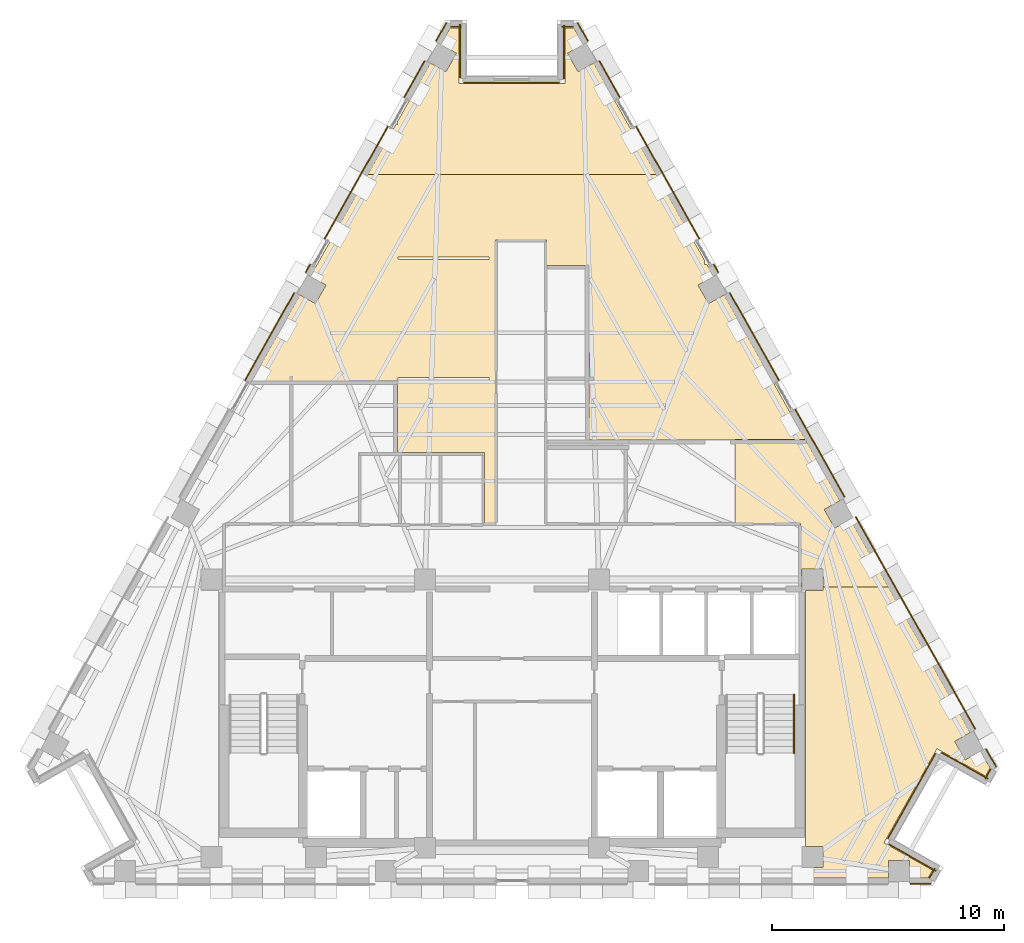
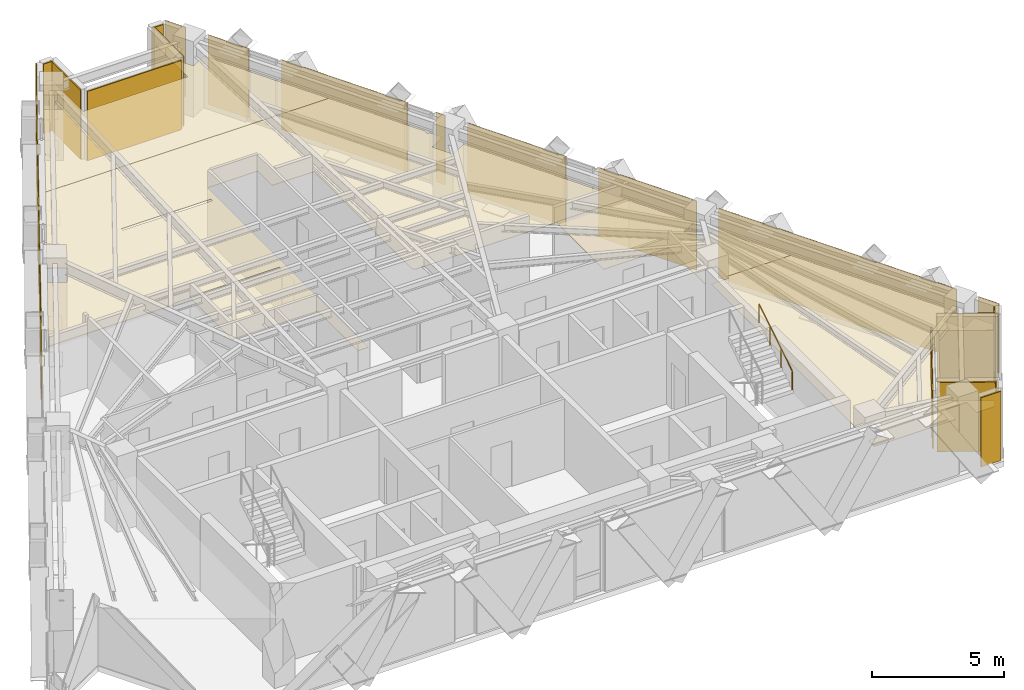
# One storey, part 12 of 12: 28 coverings, 1 railing.
"""IFC4 building model written with IfcOpenShell, lengths in metres."""

from ifc_helpers import new_model, si_unit, direction, frame, origin, origin_2d, place, context, subcontext, project, spatial, polyline, circle, outline, extrude, material, layer, layer_set, type_object, element, save


model = new_model("IFC4")

# Units and contexts
model_context = context("Model", 3, precision=1e-05, world=origin(), true_north=direction((0.0, 1.0)))
body_context = subcontext(model_context, "Body", "Model", "MODEL_VIEW")
ifc_project = project(units=[si_unit("LENGTHUNIT", "METRE"), si_unit("AREAUNIT", "SQUARE_METRE"), si_unit("VOLUMEUNIT", "CUBIC_METRE"), si_unit("PLANEANGLEUNIT", "RADIAN"), si_unit("MASSUNIT", "GRAM", prefix="KILO")], contexts=[model_context])

# Site, building, storey
site_placement = place(None, origin())
site = spatial("IfcSite", under=ifc_project, at=site_placement, CompositionType="ELEMENT")
building_placement = place(site_placement, origin())
building = spatial("IfcBuilding", under=site, at=building_placement, Name="Quenlor Broadcast Tower", CompositionType="ELEMENT")
storey_placement = place(building_placement, frame((0.0, 0.0, 221.89990234375)))
storey = spatial("IfcBuildingStorey", under=building, at=storey_placement, Name="L61", CompositionType="ELEMENT", Elevation=221.89990234375)

# Coverings
ifc_material_1 = material(Name="Acoustic Mineral Fibre Board", Category="other")
ifc_layer_1 = layer(ifc_material_1, 0.02490234375)
ifc_layer_set_1 = layer_set([ifc_layer_1], Name="Acoustic Perforated Mineral Tile Ceiling 25")
covering_type_1 = type_object("IfcCoveringType", Name="Acoustic Perforated Mineral Tile Ceiling 25", PredefinedType="CEILING", material=ifc_layer_set_1)
covering_1_placement = place(storey_placement, frame((0.0, 0.0, 2.375)))
element("IfcCovering", 1, at=covering_1_placement, inside=storey, type_object=covering_type_1, Name="L61 Acoustic Ceiling L61-24", PredefinedType="CEILING", context=body_context, shape_type="SweptSolid", body=[
    extrude(outline(polyline([(3.31005859375, 8.6201171875), (3.31298828125, 8.6494140625), (3.3212890625, 8.677490234375), (3.31640625, 8.696533203125), (3.310791015625, 8.725341796875), (1.47998046875, 8.739990234375), (1.47998046875, 9.830078125), (-0.719970703125, 9.830078125), (-0.719970703125, -2.3701171875), (-1.179931640625, -2.3701171875), (-1.179931640625, 0.669921875), (-4.93994140625, 0.669921875), (-4.93994140625, 3.7900390625), (-1.0, 3.7900390625), (-1.0, 3.909912109375), (-4.909912109375, 3.909912109375), (-4.912841796875, 3.880615234375), (-4.92138671875, 3.8525390625), (-4.935302734375, 3.82666015625), (-4.953857421875, 3.803955078125), (-4.976806640625, 3.785400390625), (-5.002685546875, 3.771484375), (-5.03076171875, 3.762939453125), (-5.06005859375, 3.760009765625), (-11.135498046875, 3.760009765625), (-11.1650390625, 3.762939453125), (-11.193603515625, 3.771728515625), (-11.208984375, 3.779296875), (-9.13427734375, 7.4677734375), (-8.465087890625, 7.09130859375), (-8.015869140625, 7.889404296875), (-8.685302734375, 8.26611328125), (-8.283935546875, 8.9794921875), (-6.21923828125, 12.64990234375), (6.21923828125, 12.64990234375), (7.205810546875, 10.89599609375), (7.4755859375, 10.416748046875), (7.6552734375, 10.09716796875), (8.2900390625, 8.96875), (8.2900390625, 8.77001953125), (8.40185546875, 8.77001953125), (8.418701171875, 8.73974609375), (8.48095703125, 8.62939453125), (8.685302734375, 8.26611328125), (8.015869140625, 7.889404296875), (8.465087890625, 7.09130859375), (9.13427734375, 7.4677734375), (12.643310546875, 1.2294921875), (12.6279296875, 1.2216796875), (12.599609375, 1.212890625), (12.56982421875, 1.2099609375), (8.260009765625, 1.2099609375), (8.230712890625, 1.212890625), (8.20263671875, 1.221435546875), (8.18359375, 1.216552734375), (8.15478515625, 1.210693359375), (3.4599609375, 1.2099609375), (3.4306640625, 1.212890625), (3.402587890625, 1.221435546875), (3.376708984375, 1.2353515625), (3.35400390625, 1.25390625), (3.335205078125, 1.276611328125), (3.3212890625, 1.302490234375), (3.31298828125, 1.330810546875), (3.31005859375, 1.360107421875), (3.31005859375, 3.820068359375), (3.31298828125, 3.849365234375), (3.3212890625, 3.87744140625), (3.31298828125, 3.91064453125), (3.31005859375, 3.93994140625), (3.31005859375, 8.6201171875)]), holes=[polyline([(-4.91064453125, 9.004638671875), (-1.0, 8.989990234375), (-1.0, 9.110107421875), (-4.909912109375, 9.110107421875), (-4.912841796875, 9.080810546875), (-4.922607421875, 9.050048828125), (-4.91650390625, 9.033447265625), (-4.91064453125, 9.004638671875)])]), origin(), (0.0, 0.0, 1.0), 0.025146484375),
])
covering_2_placement = place(storey_placement, frame((0.0, 0.0, 2.375)))
element("IfcCovering", 2, at=covering_2_placement, inside=storey, type_object=covering_type_1, Name="L61 Acoustic Ceiling L61-24-2", PredefinedType="CEILING", context=body_context, shape_type="SweptSolid", body=[
    extrude(outline(polyline([(-5.604736328125, 13.742431640625), (-5.186279296875, 14.486328125), (-4.986572265625, 14.841552734375), (-4.964111328125, 14.826171875), (-4.943603515625, 14.805419921875), (-4.93994140625, 14.92431640625), (-3.515380859375, 17.45703125), (-2.845947265625, 17.08056640625), (-2.396728515625, 17.87890625), (-3.066162109375, 18.255615234375), (-2.6630859375, 18.971923828125), (-2.2861328125, 18.971923828125), (-2.2861328125, 16.572021484375), (2.2861328125, 16.572021484375), (2.2861328125, 18.971923828125), (2.6630859375, 18.971923828125), (3.066162109375, 18.255615234375), (2.396728515625, 17.87890625), (2.845947265625, 17.08056640625), (3.515380859375, 17.45703125), (5.53857421875, 13.8603515625), (6.21923828125, 12.64990234375), (-6.21923828125, 12.64990234375), (-5.604736328125, 13.742431640625)])), origin(), (0.0, 0.0, 1.0), 0.025146484375),
])
covering_3_placement = place(storey_placement, frame((0.0, 0.0, 2.375)))
element("IfcCovering", 3, at=covering_3_placement, inside=storey, type_object=covering_type_1, Name="L61 Acoustic Ceiling L61-31", PredefinedType="CEILING", context=body_context, shape_type="SweptSolid", body=[
    extrude(outline(polyline([(13.407958984375, -4.342041015625), (12.491943359375, -4.342041015625), (12.491943359375, -5.1201171875), (12.43994140625, -5.1201171875), (12.43994140625, -2.3701171875), (9.597900390625, -2.3701171875), (9.597900390625, 1.239990234375), (12.637451171875, 1.239990234375), (14.123046875, -1.401123046875), (13.45361328125, -1.777587890625), (13.90283203125, -2.575927734375), (14.572021484375, -2.199462890625), (16.21484375, -5.1201171875), (13.407958984375, -5.1201171875), (13.407958984375, -4.342041015625)])), origin(), (0.0, 0.0, 1.0), 0.025146484375),
])
covering_4_placement = place(storey_placement, frame((0.0, 0.0, 2.375)))
element("IfcCovering", 4, at=covering_4_placement, inside=storey, type_object=covering_type_1, Name="L61 Acoustic Ceiling L61-31-2", PredefinedType="CEILING", context=body_context, shape_type="SweptSolid", body=[
    extrude(outline(polyline([(13.407958984375, -5.1201171875), (16.21484375, -5.1201171875), (19.7421875, -11.390625), (19.07275390625, -11.76708984375), (19.52197265625, -12.5654296875), (20.191162109375, -12.18896484375), (20.597900390625, -12.912109375), (20.400390625, -13.26318359375), (18.30859375, -12.08642578125), (16.029052734375, -16.138916015625), (18.120849609375, -17.315673828125), (17.927001953125, -17.659912109375), (17.1337890625, -17.659912109375), (17.1337890625, -16.89208984375), (16.218017578125, -16.89208984375), (16.218017578125, -17.659912109375), (12.64990234375, -17.659912109375), (12.64990234375, -17.2080078125), (13.407958984375, -17.2080078125), (13.407958984375, -16.2919921875), (12.64990234375, -16.2919921875), (12.64990234375, -5.258056640625), (13.407958984375, -5.258056640625), (13.407958984375, -5.1201171875)])), origin(), (0.0, 0.0, 1.0), 0.025146484375),
])
ifc_material_2 = material(Name="Architectural Terracotta Ceramic", Category="masonry")
ifc_layer_2 = layer(ifc_material_2, 0.044921875)
ifc_layer_set_2 = layer_set([ifc_layer_2], Name="Fluted Terracotta Rainscreen Cladding Panel")
covering_type_2 = type_object("IfcCoveringType", Name="Fluted Terracotta Rainscreen Cladding Panel", PredefinedType="CLADDING", material=ifc_layer_set_2)
covering_5_placement = place(storey_placement, frame((0.0, 0.0, 0.02001953125)))
element("IfcCovering", 5, at=covering_5_placement, inside=storey, type_object=covering_type_2, Name="L61 Terracotta Rainscreen Cladding L61-SHD-SS0", PredefinedType="CLADDING", context=body_context, shape_type="SweptSolid", body=[
    extrude(outline(polyline([(18.035888671875, -17.886962890625), (17.160888671875, -17.886962890625), (17.160888671875, -17.931884765625), (18.035888671875, -17.931884765625), (18.035888671875, -17.886962890625)])), origin(), (0.0, 0.0, 1.0), 3.2099609375),
])
covering_6_placement = place(storey_placement, frame((0.0, 0.0, 0.02001953125)))
element("IfcCovering", 6, at=covering_6_placement, inside=storey, type_object=covering_type_2, Name="L61 Terracotta Rainscreen Cladding L61-SHD-NES0", PredefinedType="CLADDING", context=body_context, shape_type="SweptSolid", body=[
    extrude(outline(polyline([(2.8076171875, 19.17822265625), (3.250732421875, 18.390380859375), (3.2900390625, 18.412353515625), (2.8466796875, 19.2001953125), (2.8076171875, 19.17822265625)])), origin(), (0.0, 0.0, 1.0), 3.2099609375),
])
covering_7_placement = place(storey_placement, frame((0.0, 0.0, 0.02001953125)))
element("IfcCovering", 7, at=covering_7_placement, inside=storey, type_object=covering_type_2, Name="L61 Terracotta Rainscreen Cladding L61-SHD-NES1", PredefinedType="CLADDING", context=body_context, shape_type="SweptSolid", body=[
    extrude(outline(polyline([(20.402099609375, -12.10107421875), (20.845458984375, -12.888916015625), (20.884521484375, -12.866943359375), (20.44140625, -12.0791015625), (20.402099609375, -12.10107421875)])), origin(), (0.0, 0.0, 1.0), 3.2099609375),
])
covering_8_placement = place(storey_placement, frame((0.0, 0.0, 0.02001953125)))
element("IfcCovering", 8, at=covering_8_placement, inside=storey, type_object=covering_type_2, Name="L61 Terracotta Rainscreen Cladding L61-NEA-SP1", PredefinedType="CLADDING", context=body_context, shape_type="SweptSolid", body=[
    extrude(outline(polyline([(3.744873046875, 17.532470703125), (4.625, 15.967529296875), (4.664306640625, 15.989501953125), (3.7841796875, 17.554443359375), (3.744873046875, 17.532470703125)])), origin(), (0.0, 0.0, 1.0), 3.2099609375),
])
covering_9_placement = place(storey_placement, frame((0.0, 0.0, 0.02001953125)))
element("IfcCovering", 9, at=covering_9_placement, inside=storey, type_object=covering_type_2, Name="L61 Terracotta Rainscreen Cladding L61-NEA-SP2", PredefinedType="CLADDING", context=body_context, shape_type="SweptSolid", body=[
    extrude(outline(polyline([(5.3291015625, 14.716064453125), (8.05419921875, 9.871337890625), (8.09326171875, 9.893310546875), (5.368408203125, 14.738037109375), (5.3291015625, 14.716064453125)])), origin(), (0.0, 0.0, 1.0), 3.2099609375),
])
covering_10_placement = place(storey_placement, frame((0.0, 0.0, 0.02001953125)))
element("IfcCovering", 10, at=covering_10_placement, inside=storey, type_object=covering_type_2, Name="L61 Terracotta Rainscreen Cladding L61-NEA-SP3", PredefinedType="CLADDING", context=body_context, shape_type="SweptSolid", body=[
    extrude(outline(polyline([(8.672607421875, 8.77197265625), (8.86865234375, 8.42333984375), (8.907958984375, 8.4453125), (8.7119140625, 8.7939453125), (8.672607421875, 8.77197265625)])), origin(), (0.0, 0.0, 1.0), 3.2099609375),
])
covering_11_placement = place(storey_placement, frame((0.0, 0.0, 0.02001953125)))
element("IfcCovering", 11, at=covering_11_placement, inside=storey, type_object=covering_type_2, Name="L61 Terracotta Rainscreen Cladding L61-EW-NEC", PredefinedType="CLADDING", context=body_context, shape_type="SweptSolid", body=[
    extrude(outline(polyline([(14.7919921875, -2.106689453125), (19.935302734375, -11.250732421875), (19.974609375, -11.228759765625), (14.831298828125, -2.084716796875), (14.7919921875, -2.106689453125)])), origin(), (0.0, 0.0, 1.0), 3.2099609375),
])
covering_12_placement = place(storey_placement, frame((0.0, 0.0, 0.02001953125)))
element("IfcCovering", 12, at=covering_12_placement, inside=storey, type_object=covering_type_2, Name="L61 Terracotta Rainscreen Cladding L61-NE-SP1", PredefinedType="CLADDING", context=body_context, shape_type="SweptSolid", body=[
    extrude(outline(polyline([(9.361328125, 7.54736328125), (11.483154296875, 3.775390625), (11.5224609375, 3.79736328125), (9.400634765625, 7.5693359375), (9.361328125, 7.54736328125)])), origin(), (0.0, 0.0, 1.0), 3.2099609375),
])
covering_13_placement = place(storey_placement, frame((0.0, 0.0, 0.02001953125)))
element("IfcCovering", 13, at=covering_13_placement, inside=storey, type_object=covering_type_2, Name="L61 Terracotta Rainscreen Cladding L61-NE-SP2", PredefinedType="CLADDING", context=body_context, shape_type="SweptSolid", body=[
    extrude(outline(polyline([(12.187255859375, 2.523681640625), (14.30908203125, -1.248291015625), (14.34814453125, -1.226318359375), (12.2265625, 2.5458984375), (12.187255859375, 2.523681640625)])), origin(), (0.0, 0.0, 1.0), 3.2099609375),
])
covering_14_placement = place(storey_placement, frame((0.0, 0.0, 0.02001953125)))
element("IfcCovering", 14, at=covering_14_placement, inside=storey, type_object=covering_type_2, Name="L61 Terracotta Rainscreen Cladding L61-SHD-NWS1", PredefinedType="CLADDING", context=body_context, shape_type="SweptSolid", body=[
    extrude(outline(polyline([(-3.250732421875, 18.390380859375), (-2.8076171875, 19.17822265625), (-2.8466796875, 19.2001953125), (-3.2900390625, 18.412353515625), (-3.250732421875, 18.390380859375)])), origin(), (0.0, 0.0, 1.0), 3.2099609375),
])
covering_15_placement = place(storey_placement, frame((0.0, 0.0, 0.02001953125)))
element("IfcCovering", 15, at=covering_15_placement, inside=storey, type_object=covering_type_2, Name="L61 Terracotta Rainscreen Cladding L61-NWC-SP1", PredefinedType="CLADDING", context=body_context, shape_type="SweptSolid", body=[
    extrude(outline(polyline([(-8.86865234375, 8.42333984375), (-8.672607421875, 8.77197265625), (-8.7119140625, 8.7939453125), (-8.907958984375, 8.4453125), (-8.86865234375, 8.42333984375)])), origin(), (0.0, 0.0, 1.0), 3.2099609375),
])
covering_16_placement = place(storey_placement, frame((0.0, 0.0, 0.02001953125)))
element("IfcCovering", 16, at=covering_16_placement, inside=storey, type_object=covering_type_2, Name="L61 Terracotta Rainscreen Cladding L61-NWC-SP2", PredefinedType="CLADDING", context=body_context, shape_type="SweptSolid", body=[
    extrude(outline(polyline([(-8.05419921875, 9.871337890625), (-5.3291015625, 14.716064453125), (-5.368408203125, 14.738037109375), (-8.09326171875, 9.893310546875), (-8.05419921875, 9.871337890625)])), origin(), (0.0, 0.0, 1.0), 3.2099609375),
])
covering_17_placement = place(storey_placement, frame((0.0, 0.0, 0.02001953125)))
element("IfcCovering", 17, at=covering_17_placement, inside=storey, type_object=covering_type_2, Name="L61 Terracotta Rainscreen Cladding L61-NWC-SP3", PredefinedType="CLADDING", context=body_context, shape_type="SweptSolid", body=[
    extrude(outline(polyline([(-4.625, 15.967529296875), (-3.744873046875, 17.532470703125), (-3.7841796875, 17.554443359375), (-4.664306640625, 15.989501953125), (-4.625, 15.967529296875)])), origin(), (0.0, 0.0, 1.0), 3.2099609375),
])
covering_18_placement = place(storey_placement, frame((0.0, 0.0, 0.02001953125)))
element("IfcCovering", 18, at=covering_18_placement, inside=storey, type_object=covering_type_2, Name="L61 Terracotta Rainscreen Cladding L61-NW-SP2", PredefinedType="CLADDING", context=body_context, shape_type="SweptSolid", body=[
    extrude(outline(polyline([(-11.483154296875, 3.775390625), (-9.361328125, 7.54736328125), (-9.400634765625, 7.5693359375), (-11.5224609375, 3.79736328125), (-11.483154296875, 3.775390625)])), origin(), (0.0, 0.0, 1.0), 3.2099609375),
])
covering_19_placement = place(storey_placement, frame((0.0, 0.0, 0.02001953125)))
element("IfcCovering", 19, at=covering_19_placement, inside=storey, type_object=covering_type_2, Name="L61 Terracotta Rainscreen Cladding L61-CNR-01", PredefinedType="CLADDING", context=body_context, shape_type="SweptSolid", body=[
    extrude(outline(polyline([(18.284912109375, -17.329833984375), (16.245361328125, -16.1826171875), (16.223388671875, -16.2216796875), (18.262939453125, -17.368896484375), (18.284912109375, -17.329833984375)])), origin(), (0.0, 0.0, 1.0), 3.2099609375),
])
covering_20_placement = place(storey_placement, frame((0.0, 0.0, 0.02001953125)))
element("IfcCovering", 20, at=covering_20_placement, inside=storey, type_object=covering_type_2, Name="L61 Terracotta Rainscreen Cladding L61-CNR-02", PredefinedType="CLADDING", context=body_context, shape_type="SweptSolid", body=[
    extrude(outline(polyline([(16.2109375, -15.954345703125), (18.264892578125, -12.302734375), (18.225830078125, -12.28076171875), (16.171630859375, -15.932373046875), (16.2109375, -15.954345703125)])), origin(), (0.0, 0.0, 1.0), 2.681884765625),
])
covering_21_placement = place(storey_placement, frame((0.0, 0.0, 0.02001953125)))
element("IfcCovering", 21, at=covering_21_placement, inside=storey, type_object=covering_type_2, Name="L61 Terracotta Rainscreen Cladding L61-CNR-03", PredefinedType="CLADDING", context=body_context, shape_type="SweptSolid", body=[
    extrude(outline(polyline([(18.493408203125, -12.268310546875), (20.497802734375, -13.39599609375), (20.52001953125, -13.356689453125), (18.515380859375, -12.22900390625), (18.493408203125, -12.268310546875)])), origin(), (0.0, 0.0, 1.0), 3.2099609375),
])
covering_22_placement = place(storey_placement, frame((0.0, 0.0, 0.02001953125)))
element("IfcCovering", 22, at=covering_22_placement, inside=storey, type_object=covering_type_2, Name="L61 Terracotta Rainscreen Cladding L61-CNR-04", PredefinedType="CLADDING", context=body_context, shape_type="SweptSolid", body=[
    extrude(outline(polyline([(20.40576171875, -13.39208984375), (20.64306640625, -12.970458984375), (20.60400390625, -12.948486328125), (20.36669921875, -13.3701171875), (20.40576171875, -13.39208984375)])), origin(), (0.0, 0.0, 1.0), 3.2099609375),
])
covering_23_placement = place(storey_placement, frame((0.0, 0.0, 0.02001953125)))
element("IfcCovering", 23, at=covering_23_placement, inside=storey, type_object=covering_type_2, Name="L61 Terracotta Rainscreen Cladding L61-CNR-06", PredefinedType="CLADDING", context=body_context, shape_type="SweptSolid", body=[
    extrude(outline(polyline([(2.62841796875, 19.0400390625), (2.13623046875, 19.0400390625), (2.13623046875, 18.9951171875), (2.62841796875, 18.9951171875), (2.62841796875, 19.0400390625)])), origin(), (0.0, 0.0, 1.0), 3.2099609375),
])
covering_24_placement = place(storey_placement, frame((0.0, 0.0, 0.02001953125)))
element("IfcCovering", 24, at=covering_24_placement, inside=storey, type_object=covering_type_2, Name="L61 Terracotta Rainscreen Cladding L61-CNR-07", PredefinedType="CLADDING", context=body_context, shape_type="SweptSolid", body=[
    extrude(outline(polyline([(2.21826171875, 19.08203125), (2.21826171875, 16.781982421875), (2.26318359375, 16.781982421875), (2.26318359375, 19.08203125), (2.21826171875, 19.08203125)])), origin(), (0.0, 0.0, 1.0), 3.2099609375),
])
covering_25_placement = place(storey_placement, frame((0.0, 0.0, 0.02001953125)))
element("IfcCovering", 25, at=covering_25_placement, inside=storey, type_object=covering_type_2, Name="L61 Terracotta Rainscreen Cladding L61-CNR-08", PredefinedType="CLADDING", context=body_context, shape_type="SweptSolid", body=[
    extrude(outline(polyline([(2.0361328125, 16.639892578125), (-2.076171875, 16.639892578125), (-2.076171875, 16.594970703125), (2.0361328125, 16.594970703125), (2.0361328125, 16.639892578125)])), origin(), (0.0, 0.0, 1.0), 3.2099609375),
])
covering_26_placement = place(storey_placement, frame((0.0, 0.0, 0.02001953125)))
element("IfcCovering", 26, at=covering_26_placement, inside=storey, type_object=covering_type_2, Name="L61 Terracotta Rainscreen Cladding L61-CNR-09", PredefinedType="CLADDING", context=body_context, shape_type="SweptSolid", body=[
    extrude(outline(polyline([(-2.21826171875, 16.822021484375), (-2.21826171875, 19.1220703125), (-2.26318359375, 19.1220703125), (-2.26318359375, 16.822021484375), (-2.21826171875, 16.822021484375)])), origin(), (0.0, 0.0, 1.0), 3.2099609375),
])
covering_27_placement = place(storey_placement, frame((0.0, 0.0, 0.02001953125)))
element("IfcCovering", 27, at=covering_27_placement, inside=storey, type_object=covering_type_2, Name="L61 Terracotta Rainscreen Cladding L61-CNR-10", PredefinedType="CLADDING", context=body_context, shape_type="SweptSolid", body=[
    extrude(outline(polyline([(-2.17626953125, 19.0400390625), (-2.62841796875, 19.0400390625), (-2.62841796875, 18.9951171875), (-2.17626953125, 18.9951171875), (-2.17626953125, 19.0400390625)])), origin(), (0.0, 0.0, 1.0), 3.2099609375),
])
covering_28_placement = place(storey_placement, frame((0.0, 0.0, 0.02001953125)))
element("IfcCovering", 28, at=covering_28_placement, inside=storey, type_object=covering_type_2, Name="L61 Terracotta Rainscreen Cladding L61-CNR-18", PredefinedType="CLADDING", context=body_context, shape_type="SweptSolid", body=[
    extrude(outline(polyline([(17.99853515625, -17.671630859375), (18.234130859375, -17.2529296875), (18.19482421875, -17.23095703125), (17.959228515625, -17.649658203125), (17.99853515625, -17.671630859375)])), origin(), (0.0, 0.0, 1.0), 3.2099609375),
])

# Railing
ifc_material_3 = material(Name="Anodised Aluminium", Category="aluminium")
railing_type = type_object("IfcRailingType", Name="Stainless Aluminium Wall Handrail 900", PredefinedType="HANDRAIL", material=ifc_material_3)
railing_placement = place(storey_placement, frame((12.14990234375, -12.27001953125, 1.925048828125)))
element("IfcRailing", 29, at=railing_placement, inside=storey, type_object=railing_type, Name="L61 ST-2 stair handrail 2", PredefinedType="HANDRAIL", context=body_context, shape_type="SweptSolid", body=[
    extrude(circle(Radius=0.02392578125, at=origin_2d()), frame((0.0, 0.0, 0.8759765625), z_axis=(0.0, 0.848007534815, 0.529984170421), x_axis=(-1.0, 0.0, 0.0)), (0.0, 0.0, 1.0), 2.9716796875),
    extrude(circle(Radius=0.02099609375, at=origin_2d()), origin(), (0.0, 0.0, 1.0), 0.851806640625),
    extrude(circle(Radius=0.02099609375, at=origin_2d()), frame((0.0, 0.840087890625, 0.52490234375)), (0.0, 0.0, 1.0), 0.851806640625),
    extrude(circle(Radius=0.02099609375, at=origin_2d()), frame((0.0, 1.679931640625, 1.050048828125)), (0.0, 0.0, 1.0), 0.851806640625),
    extrude(circle(Radius=0.02099609375, at=origin_2d()), frame((0.0, 2.52001953125, 1.574951171875)), (0.0, 0.0, 1.0), 0.851806640625),
])

save(model, "model.ifc")
